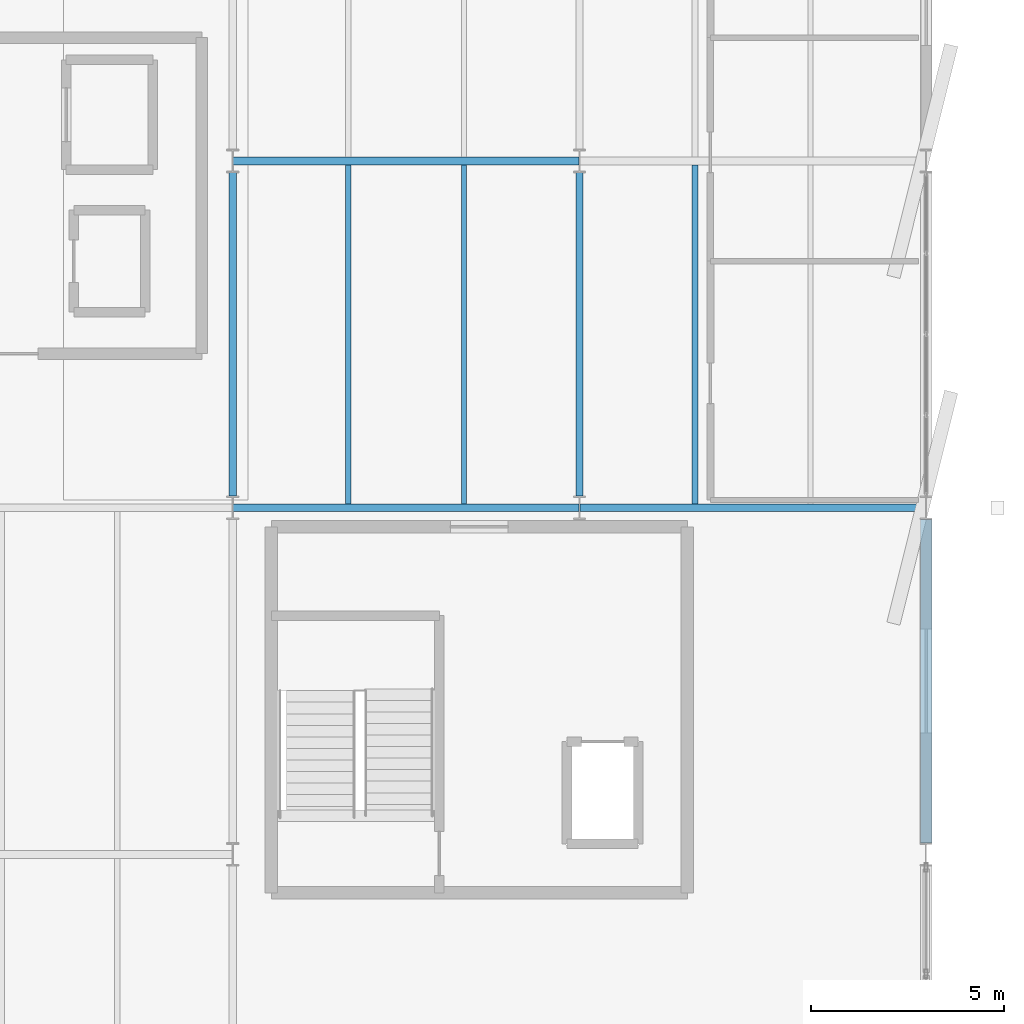
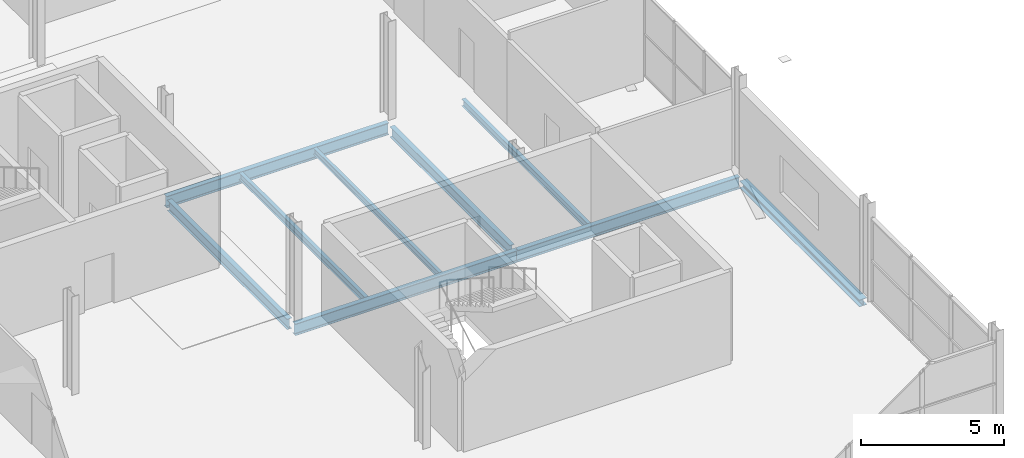
# One storey, part 50 of 88: 9 beams.
"""IFC4 building model written with IfcOpenShell, lengths in metres."""

from ifc_helpers import new_model, si_unit, direction, frame, origin, origin_2d, place, context, subcontext, project, spatial, i_section, extrude, material, material_profile, profile_set, type_object, element, save


model = new_model("IFC4")

# Units and contexts
model_context = context("Model", 3, precision=1e-05, world=origin(), true_north=direction((0.0, 1.0)))
body_context = subcontext(model_context, "Body", "Model", "MODEL_VIEW")
ifc_project = project(units=[si_unit("LENGTHUNIT", "METRE"), si_unit("AREAUNIT", "SQUARE_METRE"), si_unit("VOLUMEUNIT", "CUBIC_METRE"), si_unit("PLANEANGLEUNIT", "RADIAN"), si_unit("MASSUNIT", "GRAM", prefix="KILO")], contexts=[model_context])

# Site, building, storey
site_placement = place(None, origin())
site = spatial("IfcSite", under=ifc_project, at=site_placement, CompositionType="ELEMENT")
building_placement = place(site_placement, origin())
building = spatial("IfcBuilding", under=site, at=building_placement, Name="Deido Ridge Mobility Hub", CompositionType="ELEMENT")
storey_placement = place(building_placement, frame((0.0, 0.0, 16.800048828125)))
storey = spatial("IfcBuildingStorey", under=building, at=storey_placement, Name="L04", CompositionType="ELEMENT", Elevation=16.800048828125)

# Beams
ifc_material = material(Name="Steel S355J2 EN 10025-2", Category="steel")
ifc_material_profile_1 = material_profile(ifc_material, i_section(OverallWidth=0.18994140625, OverallDepth=0.449951171875, WebThickness=0.009521484375, FlangeThickness=0.0146484375, FilletRadius=0.02099609375, at=origin_2d()), Name="IPE 450")
ifc_profile_set_1 = profile_set([ifc_material_profile_1], Name="Steel S355J2 EN 10025-2")
beam_type_1 = type_object("IfcBeamType", Name="BM-IPE450", PredefinedType="BEAM", material=ifc_profile_set_1)
for number, where, z_axis, x_axis, name in (
    (1, (162.0, 18.300048828125, -0.5), (0.0, 1.0, 0.0), (-1.0, 0.0, 0.0), "Floor beam B4"),
    (2, (171.0, 18.300048828125, -0.5), (0.0, 1.0, 0.0), (-1.0, 0.0, 0.0), "Floor beam B4"),
):
    element("IfcBeam", number, at=place(storey_placement, frame(where, z_axis=z_axis, x_axis=x_axis)), inside=storey, type_object=beam_type_1, Name=name, PredefinedType="BEAM", context=body_context, shape_type="SweptSolid", body=[
        extrude(i_section(OverallWidth=0.18994140625, OverallDepth=0.449951171875, WebThickness=0.009521484375, FlangeThickness=0.0146484375, FilletRadius=0.02099609375, at=origin_2d()), origin(), (0.0, 0.0, 1.0), 8.39990234375),
    ])
ifc_material_profile_2 = material_profile(ifc_material, i_section(OverallWidth=0.199951171875, OverallDepth=0.5, WebThickness=0.01025390625, FlangeThickness=0.01611328125, FilletRadius=0.02099609375, at=origin_2d()), Name="IPE 500")
ifc_profile_set_2 = profile_set([ifc_material_profile_2], Name="Steel S355J2 EN 10025-2")
beam_type_2 = type_object("IfcBeamType", Name="BM-IPE500", PredefinedType="BEAM", material=ifc_profile_set_2)
for number, where, z_axis, x_axis, name in (
    (3, (162.0078125, 18.0, -0.525146484375), (1.0, 0.0, 0.0), (0.0, 1.0, 0.0), "Floor beam B3"),
    (4, (171.0078125, 18.0, -0.525146484375), (1.0, 0.0, 0.0), (0.0, 1.0, 0.0), "Floor beam B3"),
    (5, (162.0078125, 27.0, -0.525146484375), (1.0, 0.0, 0.0), (0.0, 1.0, 0.0), "Floor beam B3"),
):
    element("IfcBeam", number, at=place(storey_placement, frame(where, z_axis=z_axis, x_axis=x_axis)), inside=storey, type_object=beam_type_2, Name=name, PredefinedType="BEAM", context=body_context, shape_type="SweptSolid", body=[
        extrude(i_section(OverallWidth=0.199951171875, OverallDepth=0.5, WebThickness=0.01025390625, FlangeThickness=0.01611328125, FilletRadius=0.02099609375, at=origin_2d()), origin(), (0.0, 0.0, 1.0), 8.984375),
    ])
ifc_material_profile_3 = material_profile(ifc_material, i_section(OverallWidth=0.135009765625, OverallDepth=0.27001953125, WebThickness=0.006591796875, FlangeThickness=0.01025390625, FilletRadius=0.014892578125, at=origin_2d()), Name="IPE 270")
ifc_profile_set_3 = profile_set([ifc_material_profile_3], Name="Steel S355J2 EN 10025-2")
beam_type_3 = type_object("IfcBeamType", Name="JST-IPE270", PredefinedType="JOIST", material=ifc_profile_set_3)
beam_1_placement = place(storey_placement, frame((168.0, 18.10009765625, -0.41015625), z_axis=(0.0, 1.0, 0.0), x_axis=(-1.0, 0.0, 0.0)))
element("IfcBeam", 6, at=beam_1_placement, inside=storey, type_object=beam_type_3, Name="Composite joist J4", PredefinedType="JOIST", context=body_context, shape_type="SweptSolid", body=[
    extrude(i_section(OverallWidth=0.135009765625, OverallDepth=0.27001953125, WebThickness=0.006591796875, FlangeThickness=0.01025390625, FilletRadius=0.014892578125, at=origin_2d()), origin(), (0.0, 0.0, 1.0), 8.7998046875),
])
ifc_material_profile_4 = material_profile(ifc_material, i_section(OverallWidth=0.14990234375, OverallDepth=0.300048828125, WebThickness=0.007080078125, FlangeThickness=0.0107421875, FilletRadius=0.014892578125, at=origin_2d()), Name="IPE 300")
ifc_profile_set_4 = profile_set([ifc_material_profile_4], Name="Steel S355J2 EN 10025-2")
beam_type_4 = type_object("IfcBeamType", Name="JST-IPE300", PredefinedType="JOIST", material=ifc_profile_set_4)
for number, where, z_axis, x_axis, name in (
    (7, (165.0, 18.10009765625, -0.425048828125), (0.0, 1.0, 0.0), (-1.0, 0.0, 0.0), "Composite joist J3"),
    (8, (174.0, 18.10009765625, -0.425048828125), (0.0, 1.0, 0.0), (-1.0, 0.0, 0.0), "Composite joist J3"),
):
    element("IfcBeam", number, at=place(storey_placement, frame(where, z_axis=z_axis, x_axis=x_axis)), inside=storey, type_object=beam_type_4, Name=name, PredefinedType="JOIST", context=body_context, shape_type="SweptSolid", body=[
        extrude(i_section(OverallWidth=0.14990234375, OverallDepth=0.300048828125, WebThickness=0.007080078125, FlangeThickness=0.0107421875, FilletRadius=0.014892578125, at=origin_2d()), origin(), (0.0, 0.0, 1.0), 8.7998046875),
    ])
ifc_material_profile_5 = material_profile(ifc_material, i_section(OverallWidth=0.300048828125, OverallDepth=0.300048828125, WebThickness=0.010986328125, FlangeThickness=0.01904296875, FilletRadius=0.027099609375, at=origin_2d()), Name="HEB 300")
ifc_profile_set_5 = profile_set([ifc_material_profile_5], Name="Steel S355J2 EN 10025-2")
beam_type_5 = type_object("IfcBeamType", Name="SPD-HEB300", PredefinedType="SPANDREL", material=ifc_profile_set_5)
beam_2_placement = place(storey_placement, frame((180.0, 9.300048828125, -0.425048828125), z_axis=(0.0, 1.0, 0.0), x_axis=(-1.0, 0.0, 0.0)))
element("IfcBeam", 9, at=beam_2_placement, inside=storey, type_object=beam_type_5, Name="Floor beam SP1", PredefinedType="SPANDREL", context=body_context, shape_type="SweptSolid", body=[
    extrude(i_section(OverallWidth=0.300048828125, OverallDepth=0.300048828125, WebThickness=0.010986328125, FlangeThickness=0.01904296875, FilletRadius=0.027099609375, at=origin_2d()), origin(), (0.0, 0.0, 1.0), 8.39990234375),
])

save(model, "model.ifc")
